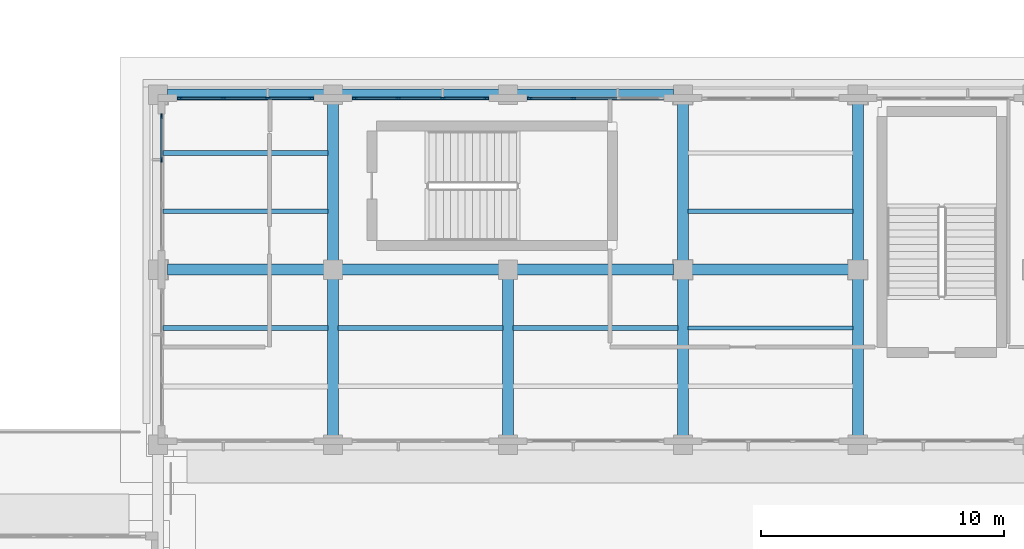
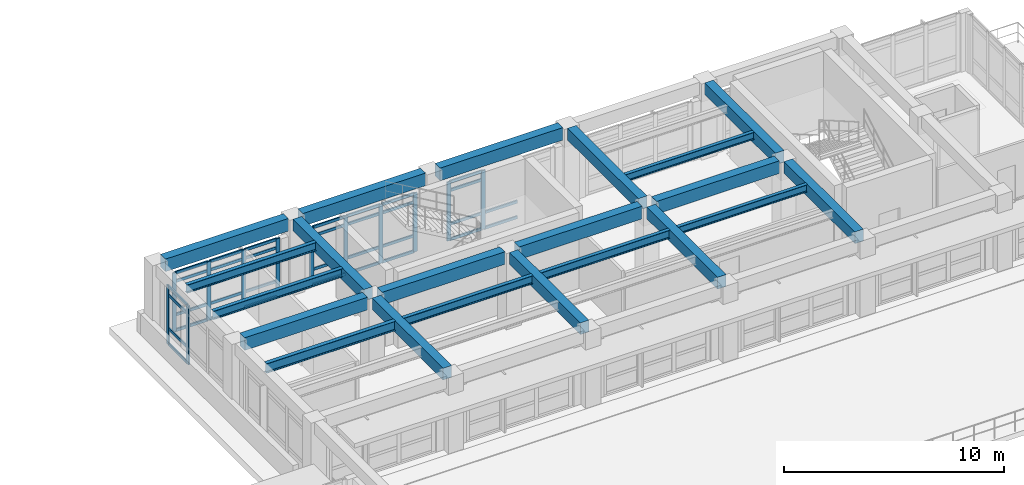
# One storey, part 17 of 67: 46 members, 21 beams, 4 elements without a shape of their own.
"""IFC4 building model written with IfcOpenShell, lengths in metres."""

from ifc_helpers import new_model, si_unit, direction, frame, origin, origin_2d, place, context, subcontext, project, spatial, rectangle, i_section, extrude, material, layer, layer_set, material_profile, profile_set, type_object, element, aggregate, save


model = new_model("IFC4")

# Units and contexts
model_context = context("Model", 3, precision=1e-05, world=origin(), true_north=direction((0.0, 1.0)))
body_context = subcontext(model_context, "Body", "Model", "MODEL_VIEW")
ifc_project = project(units=[si_unit("LENGTHUNIT", "METRE"), si_unit("AREAUNIT", "SQUARE_METRE"), si_unit("VOLUMEUNIT", "CUBIC_METRE"), si_unit("PLANEANGLEUNIT", "RADIAN"), si_unit("MASSUNIT", "GRAM", prefix="KILO")], contexts=[model_context])

# Site, building, storey
site_placement = place(None, origin())
site = spatial("IfcSite", under=ifc_project, at=site_placement, CompositionType="ELEMENT")
building_placement = place(site_placement, origin())
building = spatial("IfcBuilding", under=site, at=building_placement, Name="Solenvale Faculty of Natural Sciences", CompositionType="ELEMENT")
storey_placement = place(building_placement, frame((0.0, 0.0, 13.5)))
storey = spatial("IfcBuildingStorey", under=building, at=storey_placement, Name="L03", CompositionType="ELEMENT", Elevation=13.5)

# Beams
ifc_material_1 = material(Name="Concrete 40 MPa", Category="concrete")
ifc_material_profile_1 = material_profile(ifc_material_1, rectangle(XDim=0.449951171875, YDim=0.64990234375, at=origin_2d()), Name="RC-BM-450x650")
ifc_profile_set_1 = profile_set([ifc_material_profile_1], Name="Concrete 40 MPa")
beam_type_1 = type_object("IfcBeamType", Name="BM-RC-450x650", PredefinedType="BEAM", material=ifc_profile_set_1)
for number, where, z_axis, x_axis, name in (
    (1, (122.39990234375, 43.580078125, 3.89501953125), (0.0, 1.0, 0.0), (-1.0, 0.0, 0.0), "L03 Y-Girder X122.4 (43.2..50.4)"),
    (2, (122.39990234375, 50.780029296875, 3.89501953125), (0.0, 1.0, 0.0), (-1.0, 0.0, 0.0), "L03 Y-Girder X122.4 (50.4..57.6)"),
    (3, (129.60009765625, 43.580078125, 3.89501953125), (0.0, 1.0, 0.0), (-1.0, 0.0, 0.0), "L03 Y-Girder X129.6 (43.2..50.4)"),
    (4, (136.800048828125, 43.580078125, 3.89501953125), (0.0, 1.0, 0.0), (-1.0, 0.0, 0.0), "L03 Y-Girder X136.8 (43.2..50.4)"),
    (5, (136.800048828125, 50.780029296875, 3.89501953125), (0.0, 1.0, 0.0), (-1.0, 0.0, 0.0), "L03 Y-Girder X136.8 (50.4..57.6)"),
    (6, (144.0, 43.580078125, 3.89501953125), (0.0, 1.0, 0.0), (-1.0, 0.0, 0.0), "L03 Y-Girder X144.0 (43.2..50.4)"),
    (7, (144.0, 50.780029296875, 3.89501953125), (0.0, 1.0, 0.0), (-1.0, 0.0, 0.0), "L03 Y-Girder X144.0 (50.4..57.6)"),
):
    element("IfcBeam", number, at=place(storey_placement, frame(where, z_axis=z_axis, x_axis=x_axis)), inside=storey, type_object=beam_type_1, Name=name, PredefinedType="BEAM", context=body_context, shape_type="SweptSolid", body=[
        extrude(rectangle(XDim=0.449951171875, YDim=0.64990234375, at=origin_2d()), origin(), (0.0, 0.0, 1.0), 6.43994140625),
    ])
ifc_material_profile_2 = material_profile(ifc_material_1, rectangle(XDim=0.449951171875, YDim=0.699951171875, at=origin_2d()), Name="RC-BM-450x700")
ifc_profile_set_2 = profile_set([ifc_material_profile_2], Name="Concrete 40 MPa")
beam_type_2 = type_object("IfcBeamType", Name="BM-RC-450x700", PredefinedType="BEAM", material=ifc_profile_set_2)
for number, where, z_axis, x_axis, name in (
    (8, (115.580078125, 50.39990234375, 3.8701171875), (1.0, 0.0, 0.0), (0.0, 1.0, 0.0), "L03 X-Girder Y50.4 (115.2..122.4)"),
    (9, (122.780029296875, 50.39990234375, 3.8701171875), (1.0, 0.0, 0.0), (0.0, 1.0, 0.0), "L03 X-Girder Y50.4 (122.4..129.6)"),
    (10, (129.97998046875, 50.39990234375, 3.8701171875), (1.0, 0.0, 0.0), (0.0, 1.0, 0.0), "L03 X-Girder Y50.4 (129.6..136.8)"),
):
    element("IfcBeam", number, at=place(storey_placement, frame(where, z_axis=z_axis, x_axis=x_axis)), inside=storey, type_object=beam_type_2, Name=name, PredefinedType="BEAM", context=body_context, shape_type="SweptSolid", body=[
        extrude(rectangle(XDim=0.449951171875, YDim=0.699951171875, at=origin_2d()), origin(), (0.0, 0.0, 1.0), 6.43994140625),
    ])
beam_1_placement = place(storey_placement, frame((137.179931640625, 50.39990234375, 3.8701171875), z_axis=(1.0, 0.0, 0.0), x_axis=(0.0, 1.0, 0.0)))
element("IfcBeam", 11, at=beam_1_placement, inside=storey, type_object=beam_type_2, Name="L03 X-Girder Y50.4 (136.8..144.0)", PredefinedType="BEAM", context=body_context, shape_type="SweptSolid", body=[
    extrude(rectangle(XDim=0.449951171875, YDim=0.699951171875, at=origin_2d()), origin(), (0.0, 0.0, 1.0), 6.440185546875),
])
for number, where, z_axis, x_axis, name in (
    (12, (115.580078125, 57.60009765625, 3.8701171875), (1.0, 0.0, 0.0), (0.0, 1.0, 0.0), "L03 X-Girder Y57.6 (115.2..122.4)"),
    (13, (122.780029296875, 57.60009765625, 3.8701171875), (1.0, 0.0, 0.0), (0.0, 1.0, 0.0), "L03 X-Girder Y57.6 (122.4..129.6)"),
    (14, (129.97998046875, 57.60009765625, 3.8701171875), (1.0, 0.0, 0.0), (0.0, 1.0, 0.0), "L03 X-Girder Y57.6 (129.6..136.8)"),
):
    element("IfcBeam", number, at=place(storey_placement, frame(where, z_axis=z_axis, x_axis=x_axis)), inside=storey, type_object=beam_type_2, Name=name, PredefinedType="BEAM", context=body_context, shape_type="SweptSolid", body=[
        extrude(rectangle(XDim=0.449951171875, YDim=0.699951171875, at=origin_2d()), origin(), (0.0, 0.0, 1.0), 6.43994140625),
    ])
ifc_material_2 = material(Name="Steel S355", Category="steel")
ifc_material_profile_3 = material_profile(ifc_material_2, i_section(OverallWidth=0.178955078125, OverallDepth=0.409912109375, WebThickness=0.0087890625, FlangeThickness=0.014404296875, FilletRadius=0.01611328125, at=origin_2d()), Name="W410x67")
ifc_profile_set_3 = profile_set([ifc_material_profile_3], Name="Steel S355")
beam_type_3 = type_object("IfcBeamType", Name="BM-STL-W410x67", PredefinedType="JOIST", material=ifc_profile_set_3)
beam_2_placement = place(storey_placement, frame((137.0048828125, 52.800048828125, 4.014892578125), z_axis=(1.0, 0.0, 0.0), x_axis=(0.0, 1.0, 0.0)))
element("IfcBeam", 15, at=beam_2_placement, inside=storey, type_object=beam_type_3, Name="L03 Composite Floor Joist (20,8).1", PredefinedType="JOIST", context=body_context, shape_type="SweptSolid", body=[
    extrude(i_section(OverallWidth=0.178955078125, OverallDepth=0.409912109375, WebThickness=0.0087890625, FlangeThickness=0.014404296875, FilletRadius=0.01611328125, at=origin_2d()), origin(), (0.0, 0.0, 1.0), 6.7900390625),
])
ifc_material_profile_4 = material_profile(ifc_material_2, i_section(OverallWidth=0.180908203125, OverallDepth=0.4169921875, WebThickness=0.010986328125, FlangeThickness=0.018310546875, FilletRadius=0.01611328125, at=origin_2d()), Name="W410x85")
ifc_profile_set_4 = profile_set([ifc_material_profile_4], Name="Steel S355")
beam_type_4 = type_object("IfcBeamType", Name="BM-STL-W410x85", PredefinedType="JOIST", material=ifc_profile_set_4)
beam_3_placement = place(storey_placement, frame((137.0048828125, 48.0, 4.011474609375), z_axis=(1.0, 0.0, 0.0), x_axis=(0.0, 1.0, 0.0)))
element("IfcBeam", 16, at=beam_3_placement, inside=storey, type_object=beam_type_4, Name="L03 Composite Floor Joist (20,7).2", PredefinedType="JOIST", context=body_context, shape_type="SweptSolid", body=[
    extrude(i_section(OverallWidth=0.180908203125, OverallDepth=0.4169921875, WebThickness=0.010986328125, FlangeThickness=0.018310546875, FilletRadius=0.01611328125, at=origin_2d()), origin(), (0.0, 0.0, 1.0), 6.7900390625),
])
ifc_material_profile_5 = material_profile(ifc_material_2, i_section(OverallWidth=0.194091796875, OverallDepth=0.468994140625, WebThickness=0.0126953125, FlangeThickness=0.0205078125, FilletRadius=0.01806640625, at=origin_2d()), Name="W460x106")
ifc_profile_set_5 = profile_set([ifc_material_profile_5], Name="Steel S355")
beam_type_5 = type_object("IfcBeamType", Name="BM-STL-W460x106", PredefinedType="JOIST", material=ifc_profile_set_5)
for number, where, z_axis, x_axis, name in (
    (17, (115.405029296875, 52.800048828125, 3.985595703125), (1.0, 0.0, 0.0), (0.0, 1.0, 0.0), "L03 Composite Floor Joist (17,8).1"),
    (18, (115.405029296875, 55.199951171875, 3.985595703125), (1.0, 0.0, 0.0), (0.0, 1.0, 0.0), "L03 Composite Floor Joist (17,8).2"),
    (19, (122.60498046875, 48.0, 3.985595703125), (1.0, 0.0, 0.0), (0.0, 1.0, 0.0), "L03 Composite Floor Joist (18,7).2"),
):
    element("IfcBeam", number, at=place(storey_placement, frame(where, z_axis=z_axis, x_axis=x_axis)), inside=storey, type_object=beam_type_5, Name=name, PredefinedType="JOIST", context=body_context, shape_type="SweptSolid", body=[
        extrude(i_section(OverallWidth=0.194091796875, OverallDepth=0.468994140625, WebThickness=0.0126953125, FlangeThickness=0.0205078125, FilletRadius=0.01806640625, at=origin_2d()), origin(), (0.0, 0.0, 1.0), 6.7900390625),
    ])
ifc_material_profile_6 = material_profile(ifc_material_2, i_section(OverallWidth=0.19091796875, OverallDepth=0.4599609375, WebThickness=0.010009765625, FlangeThickness=0.01611328125, FilletRadius=0.01806640625, at=origin_2d()), Name="W460x82")
ifc_profile_set_6 = profile_set([ifc_material_profile_6], Name="Steel S355")
beam_type_6 = type_object("IfcBeamType", Name="BM-STL-W460x82", PredefinedType="JOIST", material=ifc_profile_set_6)
beam_4_placement = place(storey_placement, frame((129.804931640625, 48.0, 3.989990234375), z_axis=(1.0, 0.0, 0.0), x_axis=(0.0, 1.0, 0.0)))
element("IfcBeam", 20, at=beam_4_placement, inside=storey, type_object=beam_type_6, Name="L03 Composite Floor Joist (19,7).2", PredefinedType="JOIST", context=body_context, shape_type="SweptSolid", body=[
    extrude(i_section(OverallWidth=0.19091796875, OverallDepth=0.4599609375, WebThickness=0.010009765625, FlangeThickness=0.01611328125, FilletRadius=0.01806640625, at=origin_2d()), origin(), (0.0, 0.0, 1.0), 6.7900390625),
])
ifc_material_profile_7 = material_profile(ifc_material_2, i_section(OverallWidth=0.208984375, OverallDepth=0.532958984375, WebThickness=0.01025390625, FlangeThickness=0.015625, FilletRadius=0.01904296875, at=origin_2d()), Name="W530x92")
ifc_profile_set_7 = profile_set([ifc_material_profile_7], Name="Steel S355")
beam_type_7 = type_object("IfcBeamType", Name="BM-STL-W530x92", PredefinedType="JOIST", material=ifc_profile_set_7)
beam_5_placement = place(storey_placement, frame((115.405029296875, 48.0, 3.95361328125), z_axis=(1.0, 0.0, 0.0), x_axis=(0.0, 1.0, 0.0)))
element("IfcBeam", 21, at=beam_5_placement, inside=storey, type_object=beam_type_7, Name="L03 Composite Floor Joist (17,7).2", PredefinedType="JOIST", context=body_context, shape_type="SweptSolid", body=[
    extrude(i_section(OverallWidth=0.208984375, OverallDepth=0.532958984375, WebThickness=0.01025390625, FlangeThickness=0.015625, FilletRadius=0.01904296875, at=origin_2d()), origin(), (0.0, 0.0, 1.0), 6.7900390625),
])

# Curtain wall, members
ifc_material_3 = material(Name="Anodised bronze aluminium", Category="aluminium")
ifc_layer = layer(ifc_material_3, 0.199951171875)
ifc_layer_set = layer_set([ifc_layer], Name="Anodised bronze aluminium")
curtain_wall_type = type_object("IfcCurtainWallType", Name="CW-COM-FIN", PredefinedType="USERDEFINED", material=ifc_layer_set)
curtain_wall_1_placement = place(storey_placement, origin())
curtain_wall_1 = element("IfcCurtainWall", 22, at=curtain_wall_1_placement, inside=storey, type_object=curtain_wall_type, Name="L03 Curtain Wall CW-L03-P2-E3-B4", ObjectType="UNITISED CURTAIN WALL", PredefinedType="USERDEFINED")
ifc_material_profile_8 = material_profile(ifc_material_3, rectangle(XDim=0.074951171875, YDim=0.2099609375, at=origin_2d()), Name="ALU-MUL-75x210")
ifc_profile_set_8 = profile_set([ifc_material_profile_8], Name="Anodised bronze aluminium")
member_type_1 = type_object("IfcMemberType", Name="CWM-ALU-75x210", PredefinedType="MULLION", material=ifc_profile_set_8)
member_1_placement = place(storey_placement, frame((132.283447265625, 57.45751953125, 0.0), z_axis=(0.0, 0.0, 1.0), x_axis=(0.0, -1.0, 0.0)))
member_1 = element("IfcMember", 23, at=member_1_placement, type_object=member_type_1, Name="CW-03 mullion 3", PredefinedType="MULLION", context=body_context, shape_type="SweptSolid", body=[
    extrude(rectangle(XDim=0.074951171875, YDim=0.2099609375, at=origin_2d()), origin(), (0.0, 0.0, 1.0), 3.260009765625),
])
member_2_placement = place(storey_placement, frame((130.487548828125, 57.45751953125, 0.0), z_axis=(0.0, 0.0, 1.0), x_axis=(0.0, -1.0, 0.0)))
member_2 = element("IfcMember", 24, at=member_2_placement, type_object=member_type_1, Name="CW-03 mullion 4", PredefinedType="MULLION", context=body_context, shape_type="SweptSolid", body=[
    extrude(rectangle(XDim=0.074951171875, YDim=0.2099609375, at=origin_2d()), origin(), (0.0, 0.0, 1.0), 3.260009765625),
])

curtain_wall_2_placement = place(storey_placement, origin())
curtain_wall_2 = element("IfcCurtainWall", 25, at=curtain_wall_2_placement, inside=storey, type_object=curtain_wall_type, Name="L03 Curtain Wall CW-L03-P2-E3-B5", ObjectType="UNITISED CURTAIN WALL", PredefinedType="USERDEFINED")
member_3_placement = place(storey_placement, frame((128.71240234375, 57.45751953125, 0.0), z_axis=(0.0, 0.0, 1.0), x_axis=(0.0, -1.0, 0.0)))
member_3 = element("IfcMember", 26, at=member_3_placement, type_object=member_type_1, Name="CW-03 mullion 1", PredefinedType="MULLION", context=body_context, shape_type="SweptSolid", body=[
    extrude(rectangle(XDim=0.074951171875, YDim=0.2099609375, at=origin_2d()), origin(), (0.0, 0.0, 1.0), 3.260009765625),
])
member_4_placement = place(storey_placement, frame((126.916748046875, 57.45751953125, 0.0), z_axis=(0.0, 0.0, 1.0), x_axis=(0.0, -1.0, 0.0)))
member_4 = element("IfcMember", 27, at=member_4_placement, type_object=member_type_1, Name="CW-03 mullion 2", PredefinedType="MULLION", context=body_context, shape_type="SweptSolid", body=[
    extrude(rectangle(XDim=0.074951171875, YDim=0.2099609375, at=origin_2d()), origin(), (0.0, 0.0, 1.0), 3.260009765625),
])
member_5_placement = place(storey_placement, frame((125.083251953125, 57.45751953125, 0.0), z_axis=(0.0, 0.0, 1.0), x_axis=(0.0, -1.0, 0.0)))
member_5 = element("IfcMember", 28, at=member_5_placement, type_object=member_type_1, Name="CW-03 mullion 3", PredefinedType="MULLION", context=body_context, shape_type="SweptSolid", body=[
    extrude(rectangle(XDim=0.074951171875, YDim=0.2099609375, at=origin_2d()), origin(), (0.0, 0.0, 1.0), 3.260009765625),
])
member_6_placement = place(storey_placement, frame((123.28759765625, 57.45751953125, 0.0), z_axis=(0.0, 0.0, 1.0), x_axis=(0.0, -1.0, 0.0)))
member_6 = element("IfcMember", 29, at=member_6_placement, type_object=member_type_1, Name="CW-03 mullion 4", PredefinedType="MULLION", context=body_context, shape_type="SweptSolid", body=[
    extrude(rectangle(XDim=0.074951171875, YDim=0.2099609375, at=origin_2d()), origin(), (0.0, 0.0, 1.0), 3.260009765625),
])

curtain_wall_3_placement = place(storey_placement, origin())
curtain_wall_3 = element("IfcCurtainWall", 30, at=curtain_wall_3_placement, inside=storey, type_object=curtain_wall_type, Name="L03 Curtain Wall CW-L03-P2-E3-B6", ObjectType="UNITISED CURTAIN WALL", PredefinedType="USERDEFINED")
member_7_placement = place(storey_placement, frame((121.512451171875, 57.45751953125, 0.0), z_axis=(0.0, 0.0, 1.0), x_axis=(0.0, -1.0, 0.0)))
member_7 = element("IfcMember", 31, at=member_7_placement, type_object=member_type_1, Name="CW-03 mullion 1", PredefinedType="MULLION", context=body_context, shape_type="SweptSolid", body=[
    extrude(rectangle(XDim=0.074951171875, YDim=0.2099609375, at=origin_2d()), origin(), (0.0, 0.0, 1.0), 3.260009765625),
])
member_8_placement = place(storey_placement, frame((119.716552734375, 57.45751953125, 0.0), z_axis=(0.0, 0.0, 1.0), x_axis=(0.0, -1.0, 0.0)))
member_8 = element("IfcMember", 32, at=member_8_placement, type_object=member_type_1, Name="CW-03 mullion 2", PredefinedType="MULLION", context=body_context, shape_type="SweptSolid", body=[
    extrude(rectangle(XDim=0.074951171875, YDim=0.2099609375, at=origin_2d()), origin(), (0.0, 0.0, 1.0), 3.260009765625),
])
member_9_placement = place(storey_placement, frame((117.88330078125, 57.45751953125, 0.0), z_axis=(0.0, 0.0, 1.0), x_axis=(0.0, -1.0, 0.0)))
member_9 = element("IfcMember", 33, at=member_9_placement, type_object=member_type_1, Name="CW-03 mullion 3", PredefinedType="MULLION", context=body_context, shape_type="SweptSolid", body=[
    extrude(rectangle(XDim=0.074951171875, YDim=0.2099609375, at=origin_2d()), origin(), (0.0, 0.0, 1.0), 3.260009765625),
])
member_10_placement = place(storey_placement, frame((116.08740234375, 57.45751953125, 0.0), z_axis=(0.0, 0.0, 1.0), x_axis=(0.0, -1.0, 0.0)))
member_10 = element("IfcMember", 34, at=member_10_placement, type_object=member_type_1, Name="CW-03 mullion 4", PredefinedType="MULLION", context=body_context, shape_type="SweptSolid", body=[
    extrude(rectangle(XDim=0.074951171875, YDim=0.2099609375, at=origin_2d()), origin(), (0.0, 0.0, 1.0), 3.260009765625),
])

curtain_wall_4_placement = place(storey_placement, origin())
curtain_wall_4 = element("IfcCurtainWall", 35, at=curtain_wall_4_placement, inside=storey, type_object=curtain_wall_type, Name="L03 Curtain Wall CW-L03-P2-E4-B1", ObjectType="UNITISED CURTAIN WALL", PredefinedType="USERDEFINED")
member_11_placement = place(storey_placement, frame((115.342529296875, 56.71240234375, 0.0), z_axis=(0.0, 0.0, 1.0), x_axis=(1.0, 0.0, 0.0)))
member_11 = element("IfcMember", 36, at=member_11_placement, type_object=member_type_1, Name="CW-03 mullion 1", PredefinedType="MULLION", context=body_context, shape_type="SweptSolid", body=[
    extrude(rectangle(XDim=0.074951171875, YDim=0.2099609375, at=origin_2d()), origin(), (0.0, 0.0, 1.0), 3.260009765625),
])
member_12_placement = place(storey_placement, frame((115.342529296875, 54.916748046875, 0.0), z_axis=(0.0, 0.0, 1.0), x_axis=(1.0, 0.0, 0.0)))
member_12 = element("IfcMember", 37, at=member_12_placement, type_object=member_type_1, Name="CW-03 mullion 2", PredefinedType="MULLION", context=body_context, shape_type="SweptSolid", body=[
    extrude(rectangle(XDim=0.074951171875, YDim=0.2099609375, at=origin_2d()), origin(), (0.0, 0.0, 1.0), 3.260009765625),
])

# Member
ifc_material_profile_9 = material_profile(ifc_material_3, rectangle(XDim=0.074951171875, YDim=0.155029296875, at=origin_2d()), Name="ALU-TRN-75x155")
ifc_profile_set_9 = profile_set([ifc_material_profile_9], Name="Anodised bronze aluminium")
member_type_2 = type_object("IfcMemberType", Name="CWT-ALU-75x155", PredefinedType="USERDEFINED", material=ifc_profile_set_9)
member_13_placement = place(storey_placement, frame((134.0791015625, 57.45751953125, 0.03759765625), z_axis=(-1.0, 0.0, 0.0), x_axis=(0.0, -1.0, 0.0)))
member_13 = element("IfcMember", 38, at=member_13_placement, type_object=member_type_2, Name="CW-03 transom 2.1", ObjectType="TRANSOM", PredefinedType="USERDEFINED", context=body_context, shape_type="SweptSolid", body=[
    extrude(rectangle(XDim=0.074951171875, YDim=0.155029296875, at=origin_2d()), origin(), (0.0, 0.0, 1.0), 1.75830078125),
])

member_14_placement = place(storey_placement, frame((134.0791015625, 57.45751953125, 0.89990234375), z_axis=(-1.0, 0.0, 0.0), x_axis=(0.0, -1.0, 0.0)))
member_14 = element("IfcMember", 39, at=member_14_placement, type_object=member_type_2, Name="CW-03 transom 2.2", ObjectType="TRANSOM", PredefinedType="USERDEFINED", context=body_context, shape_type="SweptSolid", body=[
    extrude(rectangle(XDim=0.074951171875, YDim=0.155029296875, at=origin_2d()), origin(), (0.0, 0.0, 1.0), 1.75830078125),
])

member_15_placement = place(storey_placement, frame((132.245849609375, 57.45751953125, 0.03759765625), z_axis=(-1.0, 0.0, 0.0), x_axis=(0.0, -1.0, 0.0)))
member_15 = element("IfcMember", 40, at=member_15_placement, type_object=member_type_2, Name="CW-03 transom 3.1", ObjectType="TRANSOM", PredefinedType="USERDEFINED", context=body_context, shape_type="SweptSolid", body=[
    extrude(rectangle(XDim=0.074951171875, YDim=0.155029296875, at=origin_2d()), origin(), (0.0, 0.0, 1.0), 1.720947265625),
])

member_16_placement = place(storey_placement, frame((132.245849609375, 57.45751953125, 0.89990234375), z_axis=(-1.0, 0.0, 0.0), x_axis=(0.0, -1.0, 0.0)))
member_16 = element("IfcMember", 41, at=member_16_placement, type_object=member_type_2, Name="CW-03 transom 3.2", ObjectType="TRANSOM", PredefinedType="USERDEFINED", context=body_context, shape_type="SweptSolid", body=[
    extrude(rectangle(XDim=0.074951171875, YDim=0.155029296875, at=origin_2d()), origin(), (0.0, 0.0, 1.0), 1.720947265625),
])

member_17_placement = place(storey_placement, frame((132.245849609375, 57.45751953125, 2.760009765625), z_axis=(-1.0, 0.0, 0.0), x_axis=(0.0, -1.0, 0.0)))
member_17 = element("IfcMember", 42, at=member_17_placement, type_object=member_type_2, Name="CW-03 transom 3.3", ObjectType="TRANSOM", PredefinedType="USERDEFINED", context=body_context, shape_type="SweptSolid", body=[
    extrude(rectangle(XDim=0.074951171875, YDim=0.155029296875, at=origin_2d()), origin(), (0.0, 0.0, 1.0), 1.720947265625),
])

member_18_placement = place(storey_placement, frame((132.245849609375, 57.45751953125, 3.222412109375), z_axis=(-1.0, 0.0, 0.0), x_axis=(0.0, -1.0, 0.0)))
member_18 = element("IfcMember", 43, at=member_18_placement, type_object=member_type_2, Name="CW-03 transom 3.4", ObjectType="TRANSOM", PredefinedType="USERDEFINED", context=body_context, shape_type="SweptSolid", body=[
    extrude(rectangle(XDim=0.074951171875, YDim=0.155029296875, at=origin_2d()), origin(), (0.0, 0.0, 1.0), 1.720947265625),
])

aggregate(curtain_wall_1, [member_1, member_2, member_13, member_14, member_15, member_16, member_17, member_18])

member_19_placement = place(storey_placement, frame((128.675048828125, 57.45751953125, 0.03759765625), z_axis=(-1.0, 0.0, 0.0), x_axis=(0.0, -1.0, 0.0)))
member_19 = element("IfcMember", 44, at=member_19_placement, type_object=member_type_2, Name="CW-03 transom 1.1", ObjectType="TRANSOM", PredefinedType="USERDEFINED", context=body_context, shape_type="SweptSolid", body=[
    extrude(rectangle(XDim=0.074951171875, YDim=0.155029296875, at=origin_2d()), origin(), (0.0, 0.0, 1.0), 1.720947265625),
])

member_20_placement = place(storey_placement, frame((128.675048828125, 57.45751953125, 0.89990234375), z_axis=(-1.0, 0.0, 0.0), x_axis=(0.0, -1.0, 0.0)))
member_20 = element("IfcMember", 45, at=member_20_placement, type_object=member_type_2, Name="CW-03 transom 1.2", ObjectType="TRANSOM", PredefinedType="USERDEFINED", context=body_context, shape_type="SweptSolid", body=[
    extrude(rectangle(XDim=0.074951171875, YDim=0.155029296875, at=origin_2d()), origin(), (0.0, 0.0, 1.0), 1.720947265625),
])

member_21_placement = place(storey_placement, frame((128.675048828125, 57.45751953125, 2.760009765625), z_axis=(-1.0, 0.0, 0.0), x_axis=(0.0, -1.0, 0.0)))
member_21 = element("IfcMember", 46, at=member_21_placement, type_object=member_type_2, Name="CW-03 transom 1.3", ObjectType="TRANSOM", PredefinedType="USERDEFINED", context=body_context, shape_type="SweptSolid", body=[
    extrude(rectangle(XDim=0.074951171875, YDim=0.155029296875, at=origin_2d()), origin(), (0.0, 0.0, 1.0), 1.720947265625),
])

member_22_placement = place(storey_placement, frame((128.675048828125, 57.45751953125, 3.222412109375), z_axis=(-1.0, 0.0, 0.0), x_axis=(0.0, -1.0, 0.0)))
member_22 = element("IfcMember", 47, at=member_22_placement, type_object=member_type_2, Name="CW-03 transom 1.4", ObjectType="TRANSOM", PredefinedType="USERDEFINED", context=body_context, shape_type="SweptSolid", body=[
    extrude(rectangle(XDim=0.074951171875, YDim=0.155029296875, at=origin_2d()), origin(), (0.0, 0.0, 1.0), 1.720947265625),
])

member_23_placement = place(storey_placement, frame((126.879150390625, 57.45751953125, 0.03759765625), z_axis=(-1.0, 0.0, 0.0), x_axis=(0.0, -1.0, 0.0)))
member_23 = element("IfcMember", 48, at=member_23_placement, type_object=member_type_2, Name="CW-03 transom 2.1", ObjectType="TRANSOM", PredefinedType="USERDEFINED", context=body_context, shape_type="SweptSolid", body=[
    extrude(rectangle(XDim=0.074951171875, YDim=0.155029296875, at=origin_2d()), origin(), (0.0, 0.0, 1.0), 1.75830078125),
])

member_24_placement = place(storey_placement, frame((126.879150390625, 57.45751953125, 0.89990234375), z_axis=(-1.0, 0.0, 0.0), x_axis=(0.0, -1.0, 0.0)))
member_24 = element("IfcMember", 49, at=member_24_placement, type_object=member_type_2, Name="CW-03 transom 2.2", ObjectType="TRANSOM", PredefinedType="USERDEFINED", context=body_context, shape_type="SweptSolid", body=[
    extrude(rectangle(XDim=0.074951171875, YDim=0.155029296875, at=origin_2d()), origin(), (0.0, 0.0, 1.0), 1.75830078125),
])

member_25_placement = place(storey_placement, frame((126.879150390625, 57.45751953125, 2.760009765625), z_axis=(-1.0, 0.0, 0.0), x_axis=(0.0, -1.0, 0.0)))
member_25 = element("IfcMember", 50, at=member_25_placement, type_object=member_type_2, Name="CW-03 transom 2.3", ObjectType="TRANSOM", PredefinedType="USERDEFINED", context=body_context, shape_type="SweptSolid", body=[
    extrude(rectangle(XDim=0.074951171875, YDim=0.155029296875, at=origin_2d()), origin(), (0.0, 0.0, 1.0), 1.75830078125),
])

member_26_placement = place(storey_placement, frame((126.879150390625, 57.45751953125, 3.222412109375), z_axis=(-1.0, 0.0, 0.0), x_axis=(0.0, -1.0, 0.0)))
member_26 = element("IfcMember", 51, at=member_26_placement, type_object=member_type_2, Name="CW-03 transom 2.4", ObjectType="TRANSOM", PredefinedType="USERDEFINED", context=body_context, shape_type="SweptSolid", body=[
    extrude(rectangle(XDim=0.074951171875, YDim=0.155029296875, at=origin_2d()), origin(), (0.0, 0.0, 1.0), 1.75830078125),
])

member_27_placement = place(storey_placement, frame((125.0458984375, 57.45751953125, 0.03759765625), z_axis=(-1.0, 0.0, 0.0), x_axis=(0.0, -1.0, 0.0)))
member_27 = element("IfcMember", 52, at=member_27_placement, type_object=member_type_2, Name="CW-03 transom 3.1", ObjectType="TRANSOM", PredefinedType="USERDEFINED", context=body_context, shape_type="SweptSolid", body=[
    extrude(rectangle(XDim=0.074951171875, YDim=0.155029296875, at=origin_2d()), origin(), (0.0, 0.0, 1.0), 1.720947265625),
])

member_28_placement = place(storey_placement, frame((125.0458984375, 57.45751953125, 0.89990234375), z_axis=(-1.0, 0.0, 0.0), x_axis=(0.0, -1.0, 0.0)))
member_28 = element("IfcMember", 53, at=member_28_placement, type_object=member_type_2, Name="CW-03 transom 3.2", ObjectType="TRANSOM", PredefinedType="USERDEFINED", context=body_context, shape_type="SweptSolid", body=[
    extrude(rectangle(XDim=0.074951171875, YDim=0.155029296875, at=origin_2d()), origin(), (0.0, 0.0, 1.0), 1.720947265625),
])

member_29_placement = place(storey_placement, frame((125.0458984375, 57.45751953125, 2.760009765625), z_axis=(-1.0, 0.0, 0.0), x_axis=(0.0, -1.0, 0.0)))
member_29 = element("IfcMember", 54, at=member_29_placement, type_object=member_type_2, Name="CW-03 transom 3.3", ObjectType="TRANSOM", PredefinedType="USERDEFINED", context=body_context, shape_type="SweptSolid", body=[
    extrude(rectangle(XDim=0.074951171875, YDim=0.155029296875, at=origin_2d()), origin(), (0.0, 0.0, 1.0), 1.720947265625),
])

member_30_placement = place(storey_placement, frame((125.0458984375, 57.45751953125, 3.222412109375), z_axis=(-1.0, 0.0, 0.0), x_axis=(0.0, -1.0, 0.0)))
member_30 = element("IfcMember", 55, at=member_30_placement, type_object=member_type_2, Name="CW-03 transom 3.4", ObjectType="TRANSOM", PredefinedType="USERDEFINED", context=body_context, shape_type="SweptSolid", body=[
    extrude(rectangle(XDim=0.074951171875, YDim=0.155029296875, at=origin_2d()), origin(), (0.0, 0.0, 1.0), 1.720947265625),
])

aggregate(curtain_wall_2, [member_3, member_4, member_5, member_6, member_19, member_20, member_21, member_22, member_23, member_24, member_25, member_26, member_27, member_28, member_29, member_30])

member_31_placement = place(storey_placement, frame((121.47509765625, 57.45751953125, 0.03759765625), z_axis=(-1.0, 0.0, 0.0), x_axis=(0.0, -1.0, 0.0)))
member_31 = element("IfcMember", 56, at=member_31_placement, type_object=member_type_2, Name="CW-03 transom 1.1", ObjectType="TRANSOM", PredefinedType="USERDEFINED", context=body_context, shape_type="SweptSolid", body=[
    extrude(rectangle(XDim=0.074951171875, YDim=0.155029296875, at=origin_2d()), origin(), (0.0, 0.0, 1.0), 1.720947265625),
])

member_32_placement = place(storey_placement, frame((121.47509765625, 57.45751953125, 0.89990234375), z_axis=(-1.0, 0.0, 0.0), x_axis=(0.0, -1.0, 0.0)))
member_32 = element("IfcMember", 57, at=member_32_placement, type_object=member_type_2, Name="CW-03 transom 1.2", ObjectType="TRANSOM", PredefinedType="USERDEFINED", context=body_context, shape_type="SweptSolid", body=[
    extrude(rectangle(XDim=0.074951171875, YDim=0.155029296875, at=origin_2d()), origin(), (0.0, 0.0, 1.0), 1.720947265625),
])

member_33_placement = place(storey_placement, frame((121.47509765625, 57.45751953125, 2.760009765625), z_axis=(-1.0, 0.0, 0.0), x_axis=(0.0, -1.0, 0.0)))
member_33 = element("IfcMember", 58, at=member_33_placement, type_object=member_type_2, Name="CW-03 transom 1.3", ObjectType="TRANSOM", PredefinedType="USERDEFINED", context=body_context, shape_type="SweptSolid", body=[
    extrude(rectangle(XDim=0.074951171875, YDim=0.155029296875, at=origin_2d()), origin(), (0.0, 0.0, 1.0), 1.720947265625),
])

member_34_placement = place(storey_placement, frame((121.47509765625, 57.45751953125, 3.222412109375), z_axis=(-1.0, 0.0, 0.0), x_axis=(0.0, -1.0, 0.0)))
member_34 = element("IfcMember", 59, at=member_34_placement, type_object=member_type_2, Name="CW-03 transom 1.4", ObjectType="TRANSOM", PredefinedType="USERDEFINED", context=body_context, shape_type="SweptSolid", body=[
    extrude(rectangle(XDim=0.074951171875, YDim=0.155029296875, at=origin_2d()), origin(), (0.0, 0.0, 1.0), 1.720947265625),
])

member_35_placement = place(storey_placement, frame((119.67919921875, 57.45751953125, 0.03759765625), z_axis=(-1.0, 0.0, 0.0), x_axis=(0.0, -1.0, 0.0)))
member_35 = element("IfcMember", 60, at=member_35_placement, type_object=member_type_2, Name="CW-03 transom 2.1", ObjectType="TRANSOM", PredefinedType="USERDEFINED", context=body_context, shape_type="SweptSolid", body=[
    extrude(rectangle(XDim=0.074951171875, YDim=0.155029296875, at=origin_2d()), origin(), (0.0, 0.0, 1.0), 1.75830078125),
])

member_36_placement = place(storey_placement, frame((119.67919921875, 57.45751953125, 0.89990234375), z_axis=(-1.0, 0.0, 0.0), x_axis=(0.0, -1.0, 0.0)))
member_36 = element("IfcMember", 61, at=member_36_placement, type_object=member_type_2, Name="CW-03 transom 2.2", ObjectType="TRANSOM", PredefinedType="USERDEFINED", context=body_context, shape_type="SweptSolid", body=[
    extrude(rectangle(XDim=0.074951171875, YDim=0.155029296875, at=origin_2d()), origin(), (0.0, 0.0, 1.0), 1.75830078125),
])

member_37_placement = place(storey_placement, frame((119.67919921875, 57.45751953125, 2.760009765625), z_axis=(-1.0, 0.0, 0.0), x_axis=(0.0, -1.0, 0.0)))
member_37 = element("IfcMember", 62, at=member_37_placement, type_object=member_type_2, Name="CW-03 transom 2.3", ObjectType="TRANSOM", PredefinedType="USERDEFINED", context=body_context, shape_type="SweptSolid", body=[
    extrude(rectangle(XDim=0.074951171875, YDim=0.155029296875, at=origin_2d()), origin(), (0.0, 0.0, 1.0), 1.75830078125),
])

member_38_placement = place(storey_placement, frame((119.67919921875, 57.45751953125, 3.222412109375), z_axis=(-1.0, 0.0, 0.0), x_axis=(0.0, -1.0, 0.0)))
member_38 = element("IfcMember", 63, at=member_38_placement, type_object=member_type_2, Name="CW-03 transom 2.4", ObjectType="TRANSOM", PredefinedType="USERDEFINED", context=body_context, shape_type="SweptSolid", body=[
    extrude(rectangle(XDim=0.074951171875, YDim=0.155029296875, at=origin_2d()), origin(), (0.0, 0.0, 1.0), 1.75830078125),
])

member_39_placement = place(storey_placement, frame((117.845947265625, 57.45751953125, 0.03759765625), z_axis=(-1.0, 0.0, 0.0), x_axis=(0.0, -1.0, 0.0)))
member_39 = element("IfcMember", 64, at=member_39_placement, type_object=member_type_2, Name="CW-03 transom 3.1", ObjectType="TRANSOM", PredefinedType="USERDEFINED", context=body_context, shape_type="SweptSolid", body=[
    extrude(rectangle(XDim=0.074951171875, YDim=0.155029296875, at=origin_2d()), origin(), (0.0, 0.0, 1.0), 1.720947265625),
])

member_40_placement = place(storey_placement, frame((117.845947265625, 57.45751953125, 0.89990234375), z_axis=(-1.0, 0.0, 0.0), x_axis=(0.0, -1.0, 0.0)))
member_40 = element("IfcMember", 65, at=member_40_placement, type_object=member_type_2, Name="CW-03 transom 3.2", ObjectType="TRANSOM", PredefinedType="USERDEFINED", context=body_context, shape_type="SweptSolid", body=[
    extrude(rectangle(XDim=0.074951171875, YDim=0.155029296875, at=origin_2d()), origin(), (0.0, 0.0, 1.0), 1.720947265625),
])

member_41_placement = place(storey_placement, frame((117.845947265625, 57.45751953125, 2.760009765625), z_axis=(-1.0, 0.0, 0.0), x_axis=(0.0, -1.0, 0.0)))
member_41 = element("IfcMember", 66, at=member_41_placement, type_object=member_type_2, Name="CW-03 transom 3.3", ObjectType="TRANSOM", PredefinedType="USERDEFINED", context=body_context, shape_type="SweptSolid", body=[
    extrude(rectangle(XDim=0.074951171875, YDim=0.155029296875, at=origin_2d()), origin(), (0.0, 0.0, 1.0), 1.720947265625),
])

member_42_placement = place(storey_placement, frame((117.845947265625, 57.45751953125, 3.222412109375), z_axis=(-1.0, 0.0, 0.0), x_axis=(0.0, -1.0, 0.0)))
member_42 = element("IfcMember", 67, at=member_42_placement, type_object=member_type_2, Name="CW-03 transom 3.4", ObjectType="TRANSOM", PredefinedType="USERDEFINED", context=body_context, shape_type="SweptSolid", body=[
    extrude(rectangle(XDim=0.074951171875, YDim=0.155029296875, at=origin_2d()), origin(), (0.0, 0.0, 1.0), 1.720947265625),
])

aggregate(curtain_wall_3, [member_7, member_8, member_9, member_10, member_31, member_32, member_33, member_34, member_35, member_36, member_37, member_38, member_39, member_40, member_41, member_42])

member_43_placement = place(storey_placement, frame((115.342529296875, 56.675048828125, 0.03759765625), z_axis=(0.0, -1.0, 0.0), x_axis=(1.0, 0.0, 0.0)))
member_43 = element("IfcMember", 68, at=member_43_placement, type_object=member_type_2, Name="CW-03 transom 1.1", ObjectType="TRANSOM", PredefinedType="USERDEFINED", context=body_context, shape_type="SweptSolid", body=[
    extrude(rectangle(XDim=0.074951171875, YDim=0.155029296875, at=origin_2d()), origin(), (0.0, 0.0, 1.0), 1.720947265625),
])

member_44_placement = place(storey_placement, frame((115.342529296875, 56.675048828125, 0.89990234375), z_axis=(0.0, -1.0, 0.0), x_axis=(1.0, 0.0, 0.0)))
member_44 = element("IfcMember", 69, at=member_44_placement, type_object=member_type_2, Name="CW-03 transom 1.2", ObjectType="TRANSOM", PredefinedType="USERDEFINED", context=body_context, shape_type="SweptSolid", body=[
    extrude(rectangle(XDim=0.074951171875, YDim=0.155029296875, at=origin_2d()), origin(), (0.0, 0.0, 1.0), 1.720947265625),
])

member_45_placement = place(storey_placement, frame((115.342529296875, 56.675048828125, 2.760009765625), z_axis=(0.0, -1.0, 0.0), x_axis=(1.0, 0.0, 0.0)))
member_45 = element("IfcMember", 70, at=member_45_placement, type_object=member_type_2, Name="CW-03 transom 1.3", ObjectType="TRANSOM", PredefinedType="USERDEFINED", context=body_context, shape_type="SweptSolid", body=[
    extrude(rectangle(XDim=0.074951171875, YDim=0.155029296875, at=origin_2d()), origin(), (0.0, 0.0, 1.0), 1.720947265625),
])

member_46_placement = place(storey_placement, frame((115.342529296875, 56.675048828125, 3.222412109375), z_axis=(0.0, -1.0, 0.0), x_axis=(1.0, 0.0, 0.0)))
member_46 = element("IfcMember", 71, at=member_46_placement, type_object=member_type_2, Name="CW-03 transom 1.4", ObjectType="TRANSOM", PredefinedType="USERDEFINED", context=body_context, shape_type="SweptSolid", body=[
    extrude(rectangle(XDim=0.074951171875, YDim=0.155029296875, at=origin_2d()), origin(), (0.0, 0.0, 1.0), 1.720947265625),
])

aggregate(curtain_wall_4, [member_11, member_12, member_43, member_44, member_45, member_46])

save(model, "model.ifc")
